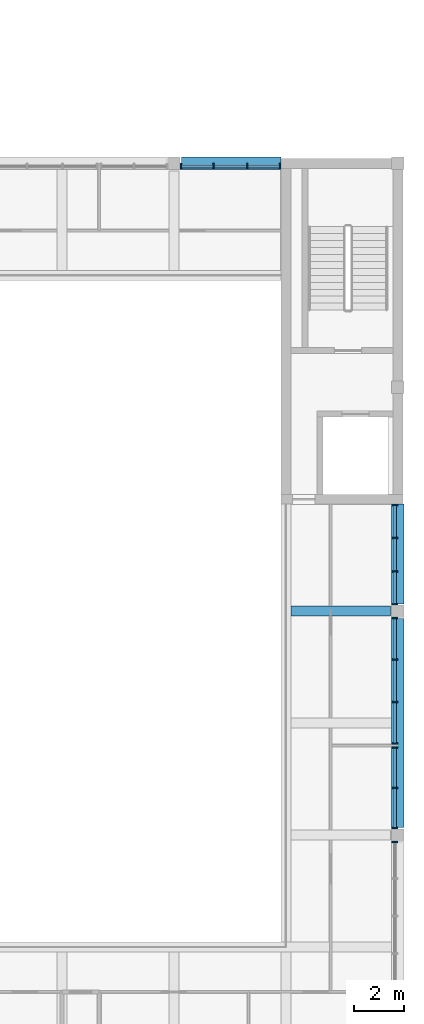
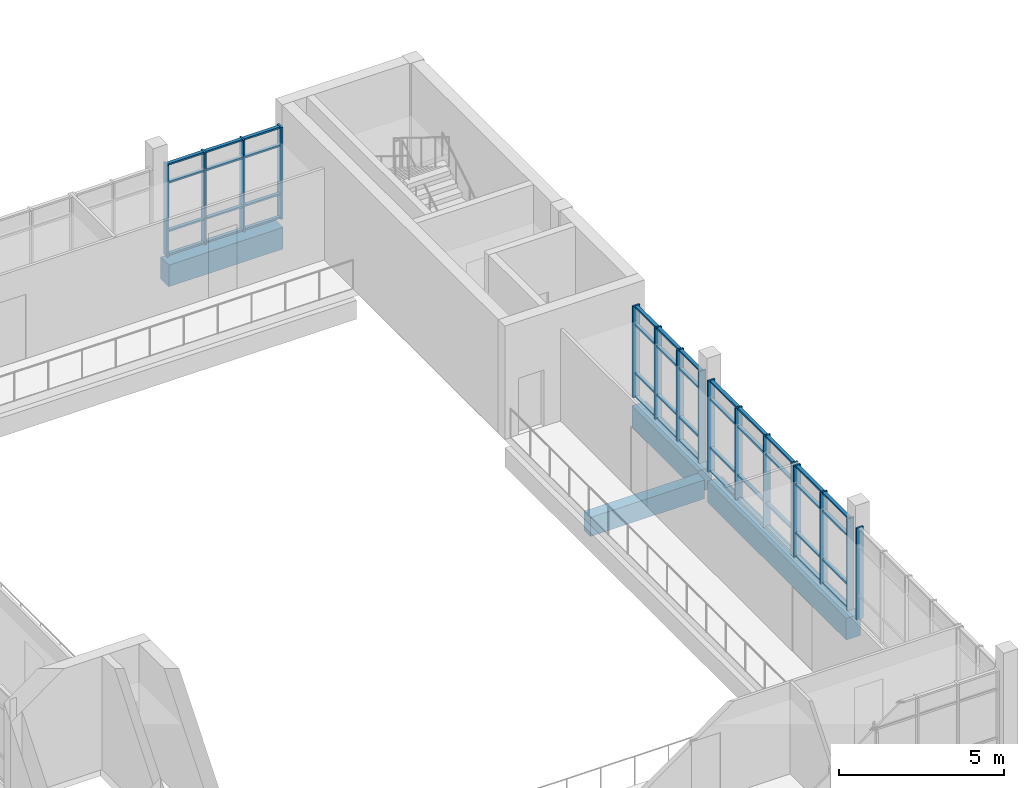
# One storey, part 12 of 74: 60 members, 4 beams, 5 elements without a shape of their own.
"""IFC4 building model written with IfcOpenShell, lengths in metres."""

from ifc_helpers import new_model, si_unit, direction, frame, origin, origin_2d, place, context, subcontext, project, spatial, rectangle, extrude, material, material_profile, profile_set, type_object, element, aggregate, save


model = new_model("IFC4")

# Units and contexts
model_context = context("Model", 3, precision=1e-05, world=origin(), true_north=direction((0.0, 1.0)))
body_context = subcontext(model_context, "Body", "Model", "MODEL_VIEW")
ifc_project = project(units=[si_unit("LENGTHUNIT", "METRE"), si_unit("AREAUNIT", "SQUARE_METRE"), si_unit("VOLUMEUNIT", "CUBIC_METRE"), si_unit("PLANEANGLEUNIT", "RADIAN"), si_unit("MASSUNIT", "GRAM", prefix="KILO")], contexts=[model_context])

# Site, building, storey
site_placement = place(None, origin())
site = spatial("IfcSite", under=ifc_project, at=site_placement, CompositionType="ELEMENT")
building_placement = place(site_placement, origin())
building = spatial("IfcBuilding", under=site, at=building_placement, Name="Merrow Basin Faculty of Sciences", CompositionType="ELEMENT")
storey_placement = place(building_placement, frame((0.0, 0.0, 13.5)))
storey = spatial("IfcBuildingStorey", under=building, at=storey_placement, Name="L03", CompositionType="ELEMENT", Elevation=13.5)

# Curtain wall, members
ifc_material_1 = material(Name="Aluminium alloy 6063", Category="aluminium")
curtain_wall_type = type_object("IfcCurtainWallType", Name="Atrium unitised curtain wall 240", PredefinedType="NOTDEFINED", material=ifc_material_1)
curtain_wall_1_placement = place(storey_placement, origin())
curtain_wall_1 = element("IfcCurtainWall", 1, at=curtain_wall_1_placement, inside=storey, type_object=curtain_wall_type, Name="N curtain wall L03 5", PredefinedType="NOTDEFINED")
ifc_material_2 = material(Name="Aluminium alloy 6063", Category="aluminium")
ifc_material_profile_1 = material_profile(ifc_material_2, rectangle(XDim=0.239990234375, YDim=0.06005859375, at=origin_2d()))
ifc_profile_set_1 = profile_set([ifc_material_profile_1], Name="Aluminium alloy 6063")
member_type_1 = type_object("IfcMemberType", Name="Aluminium mullion 60x240", PredefinedType="MULLION", material=ifc_profile_set_1)
member_1_placement = place(storey_placement, frame((63.280029296875, 35.8798828125, 0.0), z_axis=(0.0, 0.0, 1.0), x_axis=(0.0, 1.0, 0.0)))
member_1 = element("IfcMember", 2, at=member_1_placement, type_object=member_type_1, Name="CW5 mullion 1", PredefinedType="MULLION", context=body_context, shape_type="SweptSolid", body=[
    extrude(rectangle(XDim=0.239990234375, YDim=0.06005859375, at=origin_2d()), origin(), (0.0, 0.0, 1.0), 3.39990234375),
])
member_2_placement = place(storey_placement, frame((64.60009765625, 35.8798828125, 0.0), z_axis=(0.0, 0.0, 1.0), x_axis=(0.0, 1.0, 0.0)))
member_2 = element("IfcMember", 3, at=member_2_placement, type_object=member_type_1, Name="CW5 mullion 2", PredefinedType="MULLION", context=body_context, shape_type="SweptSolid", body=[
    extrude(rectangle(XDim=0.239990234375, YDim=0.06005859375, at=origin_2d()), origin(), (0.0, 0.0, 1.0), 3.39990234375),
])
member_3_placement = place(storey_placement, frame((65.949951171875, 35.8798828125, 0.0), z_axis=(0.0, 0.0, 1.0), x_axis=(0.0, 1.0, 0.0)))
member_3 = element("IfcMember", 4, at=member_3_placement, type_object=member_type_1, Name="CW5 mullion 3", PredefinedType="MULLION", context=body_context, shape_type="SweptSolid", body=[
    extrude(rectangle(XDim=0.239990234375, YDim=0.06005859375, at=origin_2d()), origin(), (0.0, 0.0, 1.0), 3.39990234375),
])
member_4_placement = place(storey_placement, frame((67.27001953125, 35.8798828125, 0.0), z_axis=(0.0, 0.0, 1.0), x_axis=(0.0, 1.0, 0.0)))
member_4 = element("IfcMember", 5, at=member_4_placement, type_object=member_type_1, Name="CW5 mullion 4", PredefinedType="MULLION", context=body_context, shape_type="SweptSolid", body=[
    extrude(rectangle(XDim=0.239990234375, YDim=0.06005859375, at=origin_2d()), origin(), (0.0, 0.0, 1.0), 3.39990234375),
])

# Curtain wall, member
curtain_wall_2_placement = place(storey_placement, origin())
curtain_wall_2 = element("IfcCurtainWall", 6, at=curtain_wall_2_placement, inside=storey, type_object=curtain_wall_type, Name="E curtain wall L03 2", PredefinedType="NOTDEFINED")
member_5_placement = place(storey_placement, frame((71.8798828125, 8.719970703125, 0.0), z_axis=(0.0, 0.0, 1.0), x_axis=(-1.0, 0.0, 0.0)))
member_5 = element("IfcMember", 7, at=member_5_placement, type_object=member_type_1, Name="CW5 mullion 5", PredefinedType="MULLION", context=body_context, shape_type="SweptSolid", body=[
    extrude(rectangle(XDim=0.239990234375, YDim=0.06005859375, at=origin_2d()), origin(), (0.0, 0.0, 1.0), 3.39990234375),
])
aggregate(curtain_wall_2, [member_5])

# Curtain wall, members
curtain_wall_3_placement = place(storey_placement, origin())
curtain_wall_3 = element("IfcCurtainWall", 8, at=curtain_wall_3_placement, inside=storey, type_object=curtain_wall_type, Name="E curtain wall L03 3", PredefinedType="NOTDEFINED")
member_6_placement = place(storey_placement, frame((71.8798828125, 9.280029296875, 0.0), z_axis=(0.0, 0.0, 1.0), x_axis=(-1.0, 0.0, 0.0)))
member_6 = element("IfcMember", 9, at=member_6_placement, type_object=member_type_1, Name="CW5 mullion 1", PredefinedType="MULLION", context=body_context, shape_type="SweptSolid", body=[
    extrude(rectangle(XDim=0.239990234375, YDim=0.06005859375, at=origin_2d()), origin(), (0.0, 0.0, 1.0), 3.39990234375),
])
member_7_placement = place(storey_placement, frame((71.8798828125, 10.89990234375, 0.0), z_axis=(0.0, 0.0, 1.0), x_axis=(-1.0, 0.0, 0.0)))
member_7 = element("IfcMember", 10, at=member_7_placement, type_object=member_type_1, Name="CW5 mullion 2", PredefinedType="MULLION", context=body_context, shape_type="SweptSolid", body=[
    extrude(rectangle(XDim=0.239990234375, YDim=0.06005859375, at=origin_2d()), origin(), (0.0, 0.0, 1.0), 3.39990234375),
])
member_8_placement = place(storey_placement, frame((71.8798828125, 12.52001953125, 0.0), z_axis=(0.0, 0.0, 1.0), x_axis=(-1.0, 0.0, 0.0)))
member_8 = element("IfcMember", 11, at=member_8_placement, type_object=member_type_1, Name="CW5 mullion 3", PredefinedType="MULLION", context=body_context, shape_type="SweptSolid", body=[
    extrude(rectangle(XDim=0.239990234375, YDim=0.06005859375, at=origin_2d()), origin(), (0.0, 0.0, 1.0), 3.39990234375),
])

curtain_wall_4_placement = place(storey_placement, origin())
curtain_wall_4 = element("IfcCurtainWall", 12, at=curtain_wall_4_placement, inside=storey, type_object=curtain_wall_type, Name="E curtain wall L03 4", PredefinedType="NOTDEFINED")
member_9_placement = place(storey_placement, frame((71.8798828125, 12.679931640625, 0.0), z_axis=(0.0, 0.0, 1.0), x_axis=(-1.0, 0.0, 0.0)))
member_9 = element("IfcMember", 13, at=member_9_placement, type_object=member_type_1, Name="CW5 mullion 1", PredefinedType="MULLION", context=body_context, shape_type="SweptSolid", body=[
    extrude(rectangle(XDim=0.239990234375, YDim=0.06005859375, at=origin_2d()), origin(), (0.0, 0.0, 1.0), 3.39990234375),
])
member_10_placement = place(storey_placement, frame((71.8798828125, 14.35009765625, 0.0), z_axis=(0.0, 0.0, 1.0), x_axis=(-1.0, 0.0, 0.0)))
member_10 = element("IfcMember", 14, at=member_10_placement, type_object=member_type_1, Name="CW5 mullion 2", PredefinedType="MULLION", context=body_context, shape_type="SweptSolid", body=[
    extrude(rectangle(XDim=0.239990234375, YDim=0.06005859375, at=origin_2d()), origin(), (0.0, 0.0, 1.0), 3.39990234375),
])
member_11_placement = place(storey_placement, frame((71.8798828125, 16.050048828125, 0.0), z_axis=(0.0, 0.0, 1.0), x_axis=(-1.0, 0.0, 0.0)))
member_11 = element("IfcMember", 15, at=member_11_placement, type_object=member_type_1, Name="CW5 mullion 3", PredefinedType="MULLION", context=body_context, shape_type="SweptSolid", body=[
    extrude(rectangle(XDim=0.239990234375, YDim=0.06005859375, at=origin_2d()), origin(), (0.0, 0.0, 1.0), 3.39990234375),
])
member_12_placement = place(storey_placement, frame((71.8798828125, 17.719970703125, 0.0), z_axis=(0.0, 0.0, 1.0), x_axis=(-1.0, 0.0, 0.0)))
member_12 = element("IfcMember", 16, at=member_12_placement, type_object=member_type_1, Name="CW5 mullion 4", PredefinedType="MULLION", context=body_context, shape_type="SweptSolid", body=[
    extrude(rectangle(XDim=0.239990234375, YDim=0.06005859375, at=origin_2d()), origin(), (0.0, 0.0, 1.0), 3.39990234375),
])

curtain_wall_5_placement = place(storey_placement, origin())
curtain_wall_5 = element("IfcCurtainWall", 17, at=curtain_wall_5_placement, inside=storey, type_object=curtain_wall_type, Name="E curtain wall L03 5", PredefinedType="NOTDEFINED")
member_13_placement = place(storey_placement, frame((71.8798828125, 18.280029296875, 0.0), z_axis=(0.0, 0.0, 1.0), x_axis=(-1.0, 0.0, 0.0)))
member_13 = element("IfcMember", 18, at=member_13_placement, type_object=member_type_1, Name="CW5 mullion 1", PredefinedType="MULLION", context=body_context, shape_type="SweptSolid", body=[
    extrude(rectangle(XDim=0.239990234375, YDim=0.06005859375, at=origin_2d()), origin(), (0.0, 0.0, 1.0), 3.39990234375),
])
member_14_placement = place(storey_placement, frame((71.8798828125, 19.60009765625, 0.0), z_axis=(0.0, 0.0, 1.0), x_axis=(-1.0, 0.0, 0.0)))
member_14 = element("IfcMember", 19, at=member_14_placement, type_object=member_type_1, Name="CW5 mullion 2", PredefinedType="MULLION", context=body_context, shape_type="SweptSolid", body=[
    extrude(rectangle(XDim=0.239990234375, YDim=0.06005859375, at=origin_2d()), origin(), (0.0, 0.0, 1.0), 3.39990234375),
])
member_15_placement = place(storey_placement, frame((71.8798828125, 20.949951171875, 0.0), z_axis=(0.0, 0.0, 1.0), x_axis=(-1.0, 0.0, 0.0)))
member_15 = element("IfcMember", 20, at=member_15_placement, type_object=member_type_1, Name="CW5 mullion 3", PredefinedType="MULLION", context=body_context, shape_type="SweptSolid", body=[
    extrude(rectangle(XDim=0.239990234375, YDim=0.06005859375, at=origin_2d()), origin(), (0.0, 0.0, 1.0), 3.39990234375),
])
member_16_placement = place(storey_placement, frame((71.8798828125, 22.27001953125, 0.0), z_axis=(0.0, 0.0, 1.0), x_axis=(-1.0, 0.0, 0.0)))
member_16 = element("IfcMember", 21, at=member_16_placement, type_object=member_type_1, Name="CW5 mullion 4", PredefinedType="MULLION", context=body_context, shape_type="SweptSolid", body=[
    extrude(rectangle(XDim=0.239990234375, YDim=0.06005859375, at=origin_2d()), origin(), (0.0, 0.0, 1.0), 3.39990234375),
])

# Member
ifc_material_3 = material(Name="Aluminium alloy 6063", Category="aluminium")
ifc_material_profile_2 = material_profile(ifc_material_3, rectangle(XDim=0.1201171875, YDim=0.06005859375, at=origin_2d()))
ifc_profile_set_2 = profile_set([ifc_material_profile_2], Name="Aluminium alloy 6063")
member_type_2 = type_object("IfcMemberType", Name="Aluminium transom 60x120", PredefinedType="USERDEFINED", material=ifc_profile_set_2)
member_17_placement = place(storey_placement, frame((63.31005859375, 35.8798828125, 0.030029296875), z_axis=(1.0, 0.0, 0.0), x_axis=(0.0, 1.0, 0.0)))
member_17 = element("IfcMember", 22, at=member_17_placement, type_object=member_type_2, Name="CW5 transom 1.1", ObjectType="TRANSOM", PredefinedType="USERDEFINED", context=body_context, shape_type="SweptSolid", body=[
    extrude(rectangle(XDim=0.1201171875, YDim=0.06005859375, at=origin_2d()), origin(), (0.0, 0.0, 1.0), 1.260009765625),
])

member_18_placement = place(storey_placement, frame((63.31005859375, 35.8798828125, 0.89990234375), z_axis=(1.0, 0.0, 0.0), x_axis=(0.0, 1.0, 0.0)))
member_18 = element("IfcMember", 23, at=member_18_placement, type_object=member_type_2, Name="CW5 transom 1.2", ObjectType="TRANSOM", PredefinedType="USERDEFINED", context=body_context, shape_type="SweptSolid", body=[
    extrude(rectangle(XDim=0.1201171875, YDim=0.06005859375, at=origin_2d()), origin(), (0.0, 0.0, 1.0), 1.260009765625),
])

member_19_placement = place(storey_placement, frame((63.31005859375, 35.8798828125, 2.699951171875), z_axis=(1.0, 0.0, 0.0), x_axis=(0.0, 1.0, 0.0)))
member_19 = element("IfcMember", 24, at=member_19_placement, type_object=member_type_2, Name="CW5 transom 1.3", ObjectType="TRANSOM", PredefinedType="USERDEFINED", context=body_context, shape_type="SweptSolid", body=[
    extrude(rectangle(XDim=0.1201171875, YDim=0.06005859375, at=origin_2d()), origin(), (0.0, 0.0, 1.0), 1.260009765625),
])

member_20_placement = place(storey_placement, frame((63.31005859375, 35.8798828125, 3.3701171875), z_axis=(1.0, 0.0, 0.0), x_axis=(0.0, 1.0, 0.0)))
member_20 = element("IfcMember", 25, at=member_20_placement, type_object=member_type_2, Name="CW5 transom 1.4", ObjectType="TRANSOM", PredefinedType="USERDEFINED", context=body_context, shape_type="SweptSolid", body=[
    extrude(rectangle(XDim=0.1201171875, YDim=0.06005859375, at=origin_2d()), origin(), (0.0, 0.0, 1.0), 1.260009765625),
])

member_21_placement = place(storey_placement, frame((64.6298828125, 35.8798828125, 0.030029296875), z_axis=(1.0, 0.0, 0.0), x_axis=(0.0, 1.0, 0.0)))
member_21 = element("IfcMember", 26, at=member_21_placement, type_object=member_type_2, Name="CW5 transom 2.1", ObjectType="TRANSOM", PredefinedType="USERDEFINED", context=body_context, shape_type="SweptSolid", body=[
    extrude(rectangle(XDim=0.1201171875, YDim=0.06005859375, at=origin_2d()), origin(), (0.0, 0.0, 1.0), 1.2900390625),
])

member_22_placement = place(storey_placement, frame((64.6298828125, 35.8798828125, 0.89990234375), z_axis=(1.0, 0.0, 0.0), x_axis=(0.0, 1.0, 0.0)))
member_22 = element("IfcMember", 27, at=member_22_placement, type_object=member_type_2, Name="CW5 transom 2.2", ObjectType="TRANSOM", PredefinedType="USERDEFINED", context=body_context, shape_type="SweptSolid", body=[
    extrude(rectangle(XDim=0.1201171875, YDim=0.06005859375, at=origin_2d()), origin(), (0.0, 0.0, 1.0), 1.2900390625),
])

member_23_placement = place(storey_placement, frame((64.6298828125, 35.8798828125, 2.699951171875), z_axis=(1.0, 0.0, 0.0), x_axis=(0.0, 1.0, 0.0)))
member_23 = element("IfcMember", 28, at=member_23_placement, type_object=member_type_2, Name="CW5 transom 2.3", ObjectType="TRANSOM", PredefinedType="USERDEFINED", context=body_context, shape_type="SweptSolid", body=[
    extrude(rectangle(XDim=0.1201171875, YDim=0.06005859375, at=origin_2d()), origin(), (0.0, 0.0, 1.0), 1.2900390625),
])

member_24_placement = place(storey_placement, frame((64.6298828125, 35.8798828125, 3.3701171875), z_axis=(1.0, 0.0, 0.0), x_axis=(0.0, 1.0, 0.0)))
member_24 = element("IfcMember", 29, at=member_24_placement, type_object=member_type_2, Name="CW5 transom 2.4", ObjectType="TRANSOM", PredefinedType="USERDEFINED", context=body_context, shape_type="SweptSolid", body=[
    extrude(rectangle(XDim=0.1201171875, YDim=0.06005859375, at=origin_2d()), origin(), (0.0, 0.0, 1.0), 1.2900390625),
])

member_25_placement = place(storey_placement, frame((65.97998046875, 35.8798828125, 0.030029296875), z_axis=(1.0, 0.0, 0.0), x_axis=(0.0, 1.0, 0.0)))
member_25 = element("IfcMember", 30, at=member_25_placement, type_object=member_type_2, Name="CW5 transom 3.1", ObjectType="TRANSOM", PredefinedType="USERDEFINED", context=body_context, shape_type="SweptSolid", body=[
    extrude(rectangle(XDim=0.1201171875, YDim=0.06005859375, at=origin_2d()), origin(), (0.0, 0.0, 1.0), 1.260009765625),
])

member_26_placement = place(storey_placement, frame((65.97998046875, 35.8798828125, 0.89990234375), z_axis=(1.0, 0.0, 0.0), x_axis=(0.0, 1.0, 0.0)))
member_26 = element("IfcMember", 31, at=member_26_placement, type_object=member_type_2, Name="CW5 transom 3.2", ObjectType="TRANSOM", PredefinedType="USERDEFINED", context=body_context, shape_type="SweptSolid", body=[
    extrude(rectangle(XDim=0.1201171875, YDim=0.06005859375, at=origin_2d()), origin(), (0.0, 0.0, 1.0), 1.260009765625),
])

member_27_placement = place(storey_placement, frame((65.97998046875, 35.8798828125, 2.699951171875), z_axis=(1.0, 0.0, 0.0), x_axis=(0.0, 1.0, 0.0)))
member_27 = element("IfcMember", 32, at=member_27_placement, type_object=member_type_2, Name="CW5 transom 3.3", ObjectType="TRANSOM", PredefinedType="USERDEFINED", context=body_context, shape_type="SweptSolid", body=[
    extrude(rectangle(XDim=0.1201171875, YDim=0.06005859375, at=origin_2d()), origin(), (0.0, 0.0, 1.0), 1.260009765625),
])

member_28_placement = place(storey_placement, frame((65.97998046875, 35.8798828125, 3.3701171875), z_axis=(1.0, 0.0, 0.0), x_axis=(0.0, 1.0, 0.0)))
member_28 = element("IfcMember", 33, at=member_28_placement, type_object=member_type_2, Name="CW5 transom 3.4", ObjectType="TRANSOM", PredefinedType="USERDEFINED", context=body_context, shape_type="SweptSolid", body=[
    extrude(rectangle(XDim=0.1201171875, YDim=0.06005859375, at=origin_2d()), origin(), (0.0, 0.0, 1.0), 1.260009765625),
])

aggregate(curtain_wall_1, [member_1, member_2, member_3, member_4, member_17, member_18, member_19, member_20, member_21, member_22, member_23, member_24, member_25, member_26, member_27, member_28])

member_29_placement = place(storey_placement, frame((71.8798828125, 9.31005859375, 0.030029296875), z_axis=(0.0, 1.0, 0.0), x_axis=(-1.0, 0.0, 0.0)))
member_29 = element("IfcMember", 34, at=member_29_placement, type_object=member_type_2, Name="CW5 transom 1.1", ObjectType="TRANSOM", PredefinedType="USERDEFINED", context=body_context, shape_type="SweptSolid", body=[
    extrude(rectangle(XDim=0.1201171875, YDim=0.06005859375, at=origin_2d()), origin(), (0.0, 0.0, 1.0), 1.56005859375),
])

member_30_placement = place(storey_placement, frame((71.8798828125, 9.31005859375, 0.89990234375), z_axis=(0.0, 1.0, 0.0), x_axis=(-1.0, 0.0, 0.0)))
member_30 = element("IfcMember", 35, at=member_30_placement, type_object=member_type_2, Name="CW5 transom 1.2", ObjectType="TRANSOM", PredefinedType="USERDEFINED", context=body_context, shape_type="SweptSolid", body=[
    extrude(rectangle(XDim=0.1201171875, YDim=0.06005859375, at=origin_2d()), origin(), (0.0, 0.0, 1.0), 1.56005859375),
])

member_31_placement = place(storey_placement, frame((71.8798828125, 9.31005859375, 2.699951171875), z_axis=(0.0, 1.0, 0.0), x_axis=(-1.0, 0.0, 0.0)))
member_31 = element("IfcMember", 36, at=member_31_placement, type_object=member_type_2, Name="CW5 transom 1.3", ObjectType="TRANSOM", PredefinedType="USERDEFINED", context=body_context, shape_type="SweptSolid", body=[
    extrude(rectangle(XDim=0.1201171875, YDim=0.06005859375, at=origin_2d()), origin(), (0.0, 0.0, 1.0), 1.56005859375),
])

member_32_placement = place(storey_placement, frame((71.8798828125, 9.31005859375, 3.3701171875), z_axis=(0.0, 1.0, 0.0), x_axis=(-1.0, 0.0, 0.0)))
member_32 = element("IfcMember", 37, at=member_32_placement, type_object=member_type_2, Name="CW5 transom 1.4", ObjectType="TRANSOM", PredefinedType="USERDEFINED", context=body_context, shape_type="SweptSolid", body=[
    extrude(rectangle(XDim=0.1201171875, YDim=0.06005859375, at=origin_2d()), origin(), (0.0, 0.0, 1.0), 1.56005859375),
])

member_33_placement = place(storey_placement, frame((71.8798828125, 10.929931640625, 0.030029296875), z_axis=(0.0, 1.0, 0.0), x_axis=(-1.0, 0.0, 0.0)))
member_33 = element("IfcMember", 38, at=member_33_placement, type_object=member_type_2, Name="CW5 transom 2.1", ObjectType="TRANSOM", PredefinedType="USERDEFINED", context=body_context, shape_type="SweptSolid", body=[
    extrude(rectangle(XDim=0.1201171875, YDim=0.06005859375, at=origin_2d()), origin(), (0.0, 0.0, 1.0), 1.56005859375),
])

member_34_placement = place(storey_placement, frame((71.8798828125, 10.929931640625, 0.89990234375), z_axis=(0.0, 1.0, 0.0), x_axis=(-1.0, 0.0, 0.0)))
member_34 = element("IfcMember", 39, at=member_34_placement, type_object=member_type_2, Name="CW5 transom 2.2", ObjectType="TRANSOM", PredefinedType="USERDEFINED", context=body_context, shape_type="SweptSolid", body=[
    extrude(rectangle(XDim=0.1201171875, YDim=0.06005859375, at=origin_2d()), origin(), (0.0, 0.0, 1.0), 1.56005859375),
])

member_35_placement = place(storey_placement, frame((71.8798828125, 10.929931640625, 2.699951171875), z_axis=(0.0, 1.0, 0.0), x_axis=(-1.0, 0.0, 0.0)))
member_35 = element("IfcMember", 40, at=member_35_placement, type_object=member_type_2, Name="CW5 transom 2.3", ObjectType="TRANSOM", PredefinedType="USERDEFINED", context=body_context, shape_type="SweptSolid", body=[
    extrude(rectangle(XDim=0.1201171875, YDim=0.06005859375, at=origin_2d()), origin(), (0.0, 0.0, 1.0), 1.56005859375),
])

member_36_placement = place(storey_placement, frame((71.8798828125, 10.929931640625, 3.3701171875), z_axis=(0.0, 1.0, 0.0), x_axis=(-1.0, 0.0, 0.0)))
member_36 = element("IfcMember", 41, at=member_36_placement, type_object=member_type_2, Name="CW5 transom 2.4", ObjectType="TRANSOM", PredefinedType="USERDEFINED", context=body_context, shape_type="SweptSolid", body=[
    extrude(rectangle(XDim=0.1201171875, YDim=0.06005859375, at=origin_2d()), origin(), (0.0, 0.0, 1.0), 1.56005859375),
])

aggregate(curtain_wall_3, [member_6, member_7, member_8, member_29, member_30, member_31, member_32, member_33, member_34, member_35, member_36])

member_37_placement = place(storey_placement, frame((71.8798828125, 12.7099609375, 0.030029296875), z_axis=(0.0, 1.0, 0.0), x_axis=(-1.0, 0.0, 0.0)))
member_37 = element("IfcMember", 42, at=member_37_placement, type_object=member_type_2, Name="CW5 transom 1.1", ObjectType="TRANSOM", PredefinedType="USERDEFINED", context=body_context, shape_type="SweptSolid", body=[
    extrude(rectangle(XDim=0.1201171875, YDim=0.06005859375, at=origin_2d()), origin(), (0.0, 0.0, 1.0), 1.610107421875),
])

member_38_placement = place(storey_placement, frame((71.8798828125, 12.7099609375, 0.89990234375), z_axis=(0.0, 1.0, 0.0), x_axis=(-1.0, 0.0, 0.0)))
member_38 = element("IfcMember", 43, at=member_38_placement, type_object=member_type_2, Name="CW5 transom 1.2", ObjectType="TRANSOM", PredefinedType="USERDEFINED", context=body_context, shape_type="SweptSolid", body=[
    extrude(rectangle(XDim=0.1201171875, YDim=0.06005859375, at=origin_2d()), origin(), (0.0, 0.0, 1.0), 1.610107421875),
])

member_39_placement = place(storey_placement, frame((71.8798828125, 12.7099609375, 2.699951171875), z_axis=(0.0, 1.0, 0.0), x_axis=(-1.0, 0.0, 0.0)))
member_39 = element("IfcMember", 44, at=member_39_placement, type_object=member_type_2, Name="CW5 transom 1.3", ObjectType="TRANSOM", PredefinedType="USERDEFINED", context=body_context, shape_type="SweptSolid", body=[
    extrude(rectangle(XDim=0.1201171875, YDim=0.06005859375, at=origin_2d()), origin(), (0.0, 0.0, 1.0), 1.610107421875),
])

member_40_placement = place(storey_placement, frame((71.8798828125, 12.7099609375, 3.3701171875), z_axis=(0.0, 1.0, 0.0), x_axis=(-1.0, 0.0, 0.0)))
member_40 = element("IfcMember", 45, at=member_40_placement, type_object=member_type_2, Name="CW5 transom 1.4", ObjectType="TRANSOM", PredefinedType="USERDEFINED", context=body_context, shape_type="SweptSolid", body=[
    extrude(rectangle(XDim=0.1201171875, YDim=0.06005859375, at=origin_2d()), origin(), (0.0, 0.0, 1.0), 1.610107421875),
])

member_41_placement = place(storey_placement, frame((71.8798828125, 14.3798828125, 0.030029296875), z_axis=(0.0, 1.0, 0.0), x_axis=(-1.0, 0.0, 0.0)))
member_41 = element("IfcMember", 46, at=member_41_placement, type_object=member_type_2, Name="CW5 transom 2.1", ObjectType="TRANSOM", PredefinedType="USERDEFINED", context=body_context, shape_type="SweptSolid", body=[
    extrude(rectangle(XDim=0.1201171875, YDim=0.06005859375, at=origin_2d()), origin(), (0.0, 0.0, 1.0), 1.64013671875),
])

member_42_placement = place(storey_placement, frame((71.8798828125, 14.3798828125, 0.89990234375), z_axis=(0.0, 1.0, 0.0), x_axis=(-1.0, 0.0, 0.0)))
member_42 = element("IfcMember", 47, at=member_42_placement, type_object=member_type_2, Name="CW5 transom 2.2", ObjectType="TRANSOM", PredefinedType="USERDEFINED", context=body_context, shape_type="SweptSolid", body=[
    extrude(rectangle(XDim=0.1201171875, YDim=0.06005859375, at=origin_2d()), origin(), (0.0, 0.0, 1.0), 1.64013671875),
])

member_43_placement = place(storey_placement, frame((71.8798828125, 14.3798828125, 2.699951171875), z_axis=(0.0, 1.0, 0.0), x_axis=(-1.0, 0.0, 0.0)))
member_43 = element("IfcMember", 48, at=member_43_placement, type_object=member_type_2, Name="CW5 transom 2.3", ObjectType="TRANSOM", PredefinedType="USERDEFINED", context=body_context, shape_type="SweptSolid", body=[
    extrude(rectangle(XDim=0.1201171875, YDim=0.06005859375, at=origin_2d()), origin(), (0.0, 0.0, 1.0), 1.64013671875),
])

member_44_placement = place(storey_placement, frame((71.8798828125, 14.3798828125, 3.3701171875), z_axis=(0.0, 1.0, 0.0), x_axis=(-1.0, 0.0, 0.0)))
member_44 = element("IfcMember", 49, at=member_44_placement, type_object=member_type_2, Name="CW5 transom 2.4", ObjectType="TRANSOM", PredefinedType="USERDEFINED", context=body_context, shape_type="SweptSolid", body=[
    extrude(rectangle(XDim=0.1201171875, YDim=0.06005859375, at=origin_2d()), origin(), (0.0, 0.0, 1.0), 1.64013671875),
])

member_45_placement = place(storey_placement, frame((71.8798828125, 16.080078125, 0.030029296875), z_axis=(0.0, 1.0, 0.0), x_axis=(-1.0, 0.0, 0.0)))
member_45 = element("IfcMember", 50, at=member_45_placement, type_object=member_type_2, Name="CW5 transom 3.1", ObjectType="TRANSOM", PredefinedType="USERDEFINED", context=body_context, shape_type="SweptSolid", body=[
    extrude(rectangle(XDim=0.1201171875, YDim=0.06005859375, at=origin_2d()), origin(), (0.0, 0.0, 1.0), 1.60986328125),
])

member_46_placement = place(storey_placement, frame((71.8798828125, 16.080078125, 0.89990234375), z_axis=(0.0, 1.0, 0.0), x_axis=(-1.0, 0.0, 0.0)))
member_46 = element("IfcMember", 51, at=member_46_placement, type_object=member_type_2, Name="CW5 transom 3.2", ObjectType="TRANSOM", PredefinedType="USERDEFINED", context=body_context, shape_type="SweptSolid", body=[
    extrude(rectangle(XDim=0.1201171875, YDim=0.06005859375, at=origin_2d()), origin(), (0.0, 0.0, 1.0), 1.60986328125),
])

member_47_placement = place(storey_placement, frame((71.8798828125, 16.080078125, 2.699951171875), z_axis=(0.0, 1.0, 0.0), x_axis=(-1.0, 0.0, 0.0)))
member_47 = element("IfcMember", 52, at=member_47_placement, type_object=member_type_2, Name="CW5 transom 3.3", ObjectType="TRANSOM", PredefinedType="USERDEFINED", context=body_context, shape_type="SweptSolid", body=[
    extrude(rectangle(XDim=0.1201171875, YDim=0.06005859375, at=origin_2d()), origin(), (0.0, 0.0, 1.0), 1.60986328125),
])

member_48_placement = place(storey_placement, frame((71.8798828125, 16.080078125, 3.3701171875), z_axis=(0.0, 1.0, 0.0), x_axis=(-1.0, 0.0, 0.0)))
member_48 = element("IfcMember", 53, at=member_48_placement, type_object=member_type_2, Name="CW5 transom 3.4", ObjectType="TRANSOM", PredefinedType="USERDEFINED", context=body_context, shape_type="SweptSolid", body=[
    extrude(rectangle(XDim=0.1201171875, YDim=0.06005859375, at=origin_2d()), origin(), (0.0, 0.0, 1.0), 1.60986328125),
])

aggregate(curtain_wall_4, [member_9, member_10, member_11, member_12, member_37, member_38, member_39, member_40, member_41, member_42, member_43, member_44, member_45, member_46, member_47, member_48])

member_49_placement = place(storey_placement, frame((71.8798828125, 18.31005859375, 0.030029296875), z_axis=(0.0, 1.0, 0.0), x_axis=(-1.0, 0.0, 0.0)))
member_49 = element("IfcMember", 54, at=member_49_placement, type_object=member_type_2, Name="CW5 transom 1.1", ObjectType="TRANSOM", PredefinedType="USERDEFINED", context=body_context, shape_type="SweptSolid", body=[
    extrude(rectangle(XDim=0.1201171875, YDim=0.06005859375, at=origin_2d()), origin(), (0.0, 0.0, 1.0), 1.260009765625),
])

member_50_placement = place(storey_placement, frame((71.8798828125, 18.31005859375, 0.89990234375), z_axis=(0.0, 1.0, 0.0), x_axis=(-1.0, 0.0, 0.0)))
member_50 = element("IfcMember", 55, at=member_50_placement, type_object=member_type_2, Name="CW5 transom 1.2", ObjectType="TRANSOM", PredefinedType="USERDEFINED", context=body_context, shape_type="SweptSolid", body=[
    extrude(rectangle(XDim=0.1201171875, YDim=0.06005859375, at=origin_2d()), origin(), (0.0, 0.0, 1.0), 1.260009765625),
])

member_51_placement = place(storey_placement, frame((71.8798828125, 18.31005859375, 2.699951171875), z_axis=(0.0, 1.0, 0.0), x_axis=(-1.0, 0.0, 0.0)))
member_51 = element("IfcMember", 56, at=member_51_placement, type_object=member_type_2, Name="CW5 transom 1.3", ObjectType="TRANSOM", PredefinedType="USERDEFINED", context=body_context, shape_type="SweptSolid", body=[
    extrude(rectangle(XDim=0.1201171875, YDim=0.06005859375, at=origin_2d()), origin(), (0.0, 0.0, 1.0), 1.260009765625),
])

member_52_placement = place(storey_placement, frame((71.8798828125, 18.31005859375, 3.3701171875), z_axis=(0.0, 1.0, 0.0), x_axis=(-1.0, 0.0, 0.0)))
member_52 = element("IfcMember", 57, at=member_52_placement, type_object=member_type_2, Name="CW5 transom 1.4", ObjectType="TRANSOM", PredefinedType="USERDEFINED", context=body_context, shape_type="SweptSolid", body=[
    extrude(rectangle(XDim=0.1201171875, YDim=0.06005859375, at=origin_2d()), origin(), (0.0, 0.0, 1.0), 1.260009765625),
])

member_53_placement = place(storey_placement, frame((71.8798828125, 19.6298828125, 0.030029296875), z_axis=(0.0, 1.0, 0.0), x_axis=(-1.0, 0.0, 0.0)))
member_53 = element("IfcMember", 58, at=member_53_placement, type_object=member_type_2, Name="CW5 transom 2.1", ObjectType="TRANSOM", PredefinedType="USERDEFINED", context=body_context, shape_type="SweptSolid", body=[
    extrude(rectangle(XDim=0.1201171875, YDim=0.06005859375, at=origin_2d()), origin(), (0.0, 0.0, 1.0), 1.2900390625),
])

member_54_placement = place(storey_placement, frame((71.8798828125, 19.6298828125, 0.89990234375), z_axis=(0.0, 1.0, 0.0), x_axis=(-1.0, 0.0, 0.0)))
member_54 = element("IfcMember", 59, at=member_54_placement, type_object=member_type_2, Name="CW5 transom 2.2", ObjectType="TRANSOM", PredefinedType="USERDEFINED", context=body_context, shape_type="SweptSolid", body=[
    extrude(rectangle(XDim=0.1201171875, YDim=0.06005859375, at=origin_2d()), origin(), (0.0, 0.0, 1.0), 1.2900390625),
])

member_55_placement = place(storey_placement, frame((71.8798828125, 19.6298828125, 2.699951171875), z_axis=(0.0, 1.0, 0.0), x_axis=(-1.0, 0.0, 0.0)))
member_55 = element("IfcMember", 60, at=member_55_placement, type_object=member_type_2, Name="CW5 transom 2.3", ObjectType="TRANSOM", PredefinedType="USERDEFINED", context=body_context, shape_type="SweptSolid", body=[
    extrude(rectangle(XDim=0.1201171875, YDim=0.06005859375, at=origin_2d()), origin(), (0.0, 0.0, 1.0), 1.2900390625),
])

member_56_placement = place(storey_placement, frame((71.8798828125, 19.6298828125, 3.3701171875), z_axis=(0.0, 1.0, 0.0), x_axis=(-1.0, 0.0, 0.0)))
member_56 = element("IfcMember", 61, at=member_56_placement, type_object=member_type_2, Name="CW5 transom 2.4", ObjectType="TRANSOM", PredefinedType="USERDEFINED", context=body_context, shape_type="SweptSolid", body=[
    extrude(rectangle(XDim=0.1201171875, YDim=0.06005859375, at=origin_2d()), origin(), (0.0, 0.0, 1.0), 1.2900390625),
])

member_57_placement = place(storey_placement, frame((71.8798828125, 20.97998046875, 0.030029296875), z_axis=(0.0, 1.0, 0.0), x_axis=(-1.0, 0.0, 0.0)))
member_57 = element("IfcMember", 62, at=member_57_placement, type_object=member_type_2, Name="CW5 transom 3.1", ObjectType="TRANSOM", PredefinedType="USERDEFINED", context=body_context, shape_type="SweptSolid", body=[
    extrude(rectangle(XDim=0.1201171875, YDim=0.06005859375, at=origin_2d()), origin(), (0.0, 0.0, 1.0), 1.260009765625),
])

member_58_placement = place(storey_placement, frame((71.8798828125, 20.97998046875, 0.89990234375), z_axis=(0.0, 1.0, 0.0), x_axis=(-1.0, 0.0, 0.0)))
member_58 = element("IfcMember", 63, at=member_58_placement, type_object=member_type_2, Name="CW5 transom 3.2", ObjectType="TRANSOM", PredefinedType="USERDEFINED", context=body_context, shape_type="SweptSolid", body=[
    extrude(rectangle(XDim=0.1201171875, YDim=0.06005859375, at=origin_2d()), origin(), (0.0, 0.0, 1.0), 1.260009765625),
])

member_59_placement = place(storey_placement, frame((71.8798828125, 20.97998046875, 2.699951171875), z_axis=(0.0, 1.0, 0.0), x_axis=(-1.0, 0.0, 0.0)))
member_59 = element("IfcMember", 64, at=member_59_placement, type_object=member_type_2, Name="CW5 transom 3.3", ObjectType="TRANSOM", PredefinedType="USERDEFINED", context=body_context, shape_type="SweptSolid", body=[
    extrude(rectangle(XDim=0.1201171875, YDim=0.06005859375, at=origin_2d()), origin(), (0.0, 0.0, 1.0), 1.260009765625),
])

member_60_placement = place(storey_placement, frame((71.8798828125, 20.97998046875, 3.3701171875), z_axis=(0.0, 1.0, 0.0), x_axis=(-1.0, 0.0, 0.0)))
member_60 = element("IfcMember", 65, at=member_60_placement, type_object=member_type_2, Name="CW5 transom 3.4", ObjectType="TRANSOM", PredefinedType="USERDEFINED", context=body_context, shape_type="SweptSolid", body=[
    extrude(rectangle(XDim=0.1201171875, YDim=0.06005859375, at=origin_2d()), origin(), (0.0, 0.0, 1.0), 1.260009765625),
])

aggregate(curtain_wall_5, [member_13, member_14, member_15, member_16, member_49, member_50, member_51, member_52, member_53, member_54, member_55, member_56, member_57, member_58, member_59, member_60])

# Beams
ifc_material_4 = material(Name="Concrete C40/50", Category="concrete")
ifc_material_profile_3 = material_profile(ifc_material_4, rectangle(XDim=0.5, YDim=0.800048828125, at=origin_2d()))
ifc_profile_set_3 = profile_set([ifc_material_profile_3], Name="Concrete C40/50")
beam_type_1 = type_object("IfcBeamType", Name="Beam RC500x800 C40/50", PredefinedType="BEAM", material=ifc_profile_set_3)
beam_1_placement = place(storey_placement, frame((63.300048828125, 36.0, -0.699951171875), z_axis=(1.0, 0.0, 0.0), x_axis=(0.0, 1.0, 0.0)))
element("IfcBeam", 66, at=beam_1_placement, inside=storey, type_object=beam_type_1, Name="B4 L03 006", PredefinedType="BEAM", context=body_context, shape_type="SweptSolid", body=[
    extrude(rectangle(XDim=0.5, YDim=0.800048828125, at=origin_2d()), origin(), (0.0, 0.0, 1.0), 4.0),
])
beam_2_placement = place(storey_placement, frame((72.0, 9.300048828125, -0.699951171875), z_axis=(0.0, 1.0, 0.0), x_axis=(-1.0, 0.0, 0.0)))
element("IfcBeam", 67, at=beam_2_placement, inside=storey, type_object=beam_type_1, Name="B4 L03 011", PredefinedType="BEAM", context=body_context, shape_type="SweptSolid", body=[
    extrude(rectangle(XDim=0.5, YDim=0.800048828125, at=origin_2d()), origin(), (0.0, 0.0, 1.0), 8.39990234375),
])
beam_3_placement = place(storey_placement, frame((72.0, 18.300048828125, -0.699951171875), z_axis=(0.0, 1.0, 0.0), x_axis=(-1.0, 0.0, 0.0)))
element("IfcBeam", 68, at=beam_3_placement, inside=storey, type_object=beam_type_1, Name="B4 L03 012", PredefinedType="BEAM", context=body_context, shape_type="SweptSolid", body=[
    extrude(rectangle(XDim=0.5, YDim=0.800048828125, at=origin_2d()), origin(), (0.0, 0.0, 1.0), 4.0),
])
ifc_material_5 = material(Name="Concrete C40/50", Category="concrete")
ifc_material_profile_4 = material_profile(ifc_material_5, rectangle(XDim=0.39990234375, YDim=0.699951171875, at=origin_2d()))
ifc_profile_set_4 = profile_set([ifc_material_profile_4], Name="Concrete C40/50")
beam_type_2 = type_object("IfcBeamType", Name="Gallery edge beam RC400x700 C40/50", PredefinedType="BEAM", material=ifc_profile_set_4)
beam_4_placement = place(storey_placement, frame((67.699951171875, 18.0, -0.64990234375), z_axis=(1.0, 0.0, 0.0), x_axis=(0.0, 1.0, 0.0)))
element("IfcBeam", 69, at=beam_4_placement, inside=storey, type_object=beam_type_2, Name="GB1 L03 029", PredefinedType="BEAM", context=body_context, shape_type="SweptSolid", body=[
    extrude(rectangle(XDim=0.39990234375, YDim=0.699951171875, at=origin_2d()), origin(), (0.0, 0.0, 1.0), 4.0),
])

save(model, "model.ifc")
